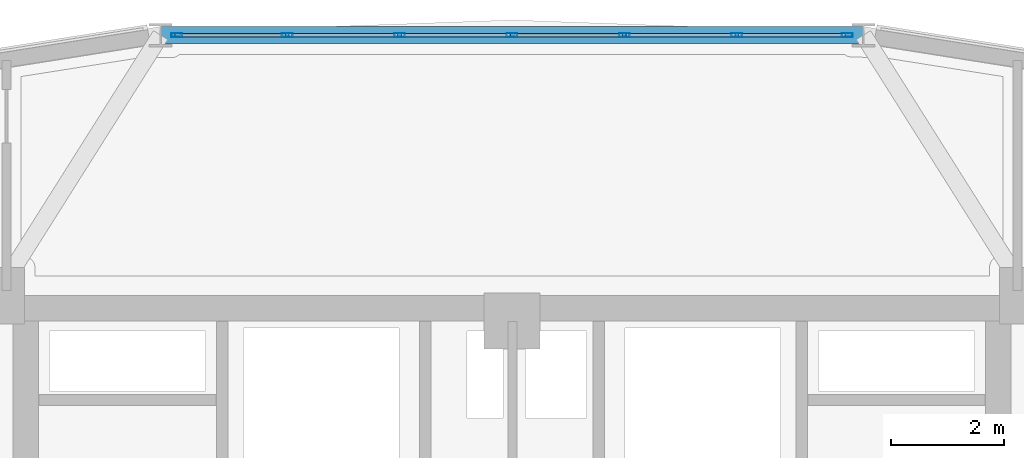
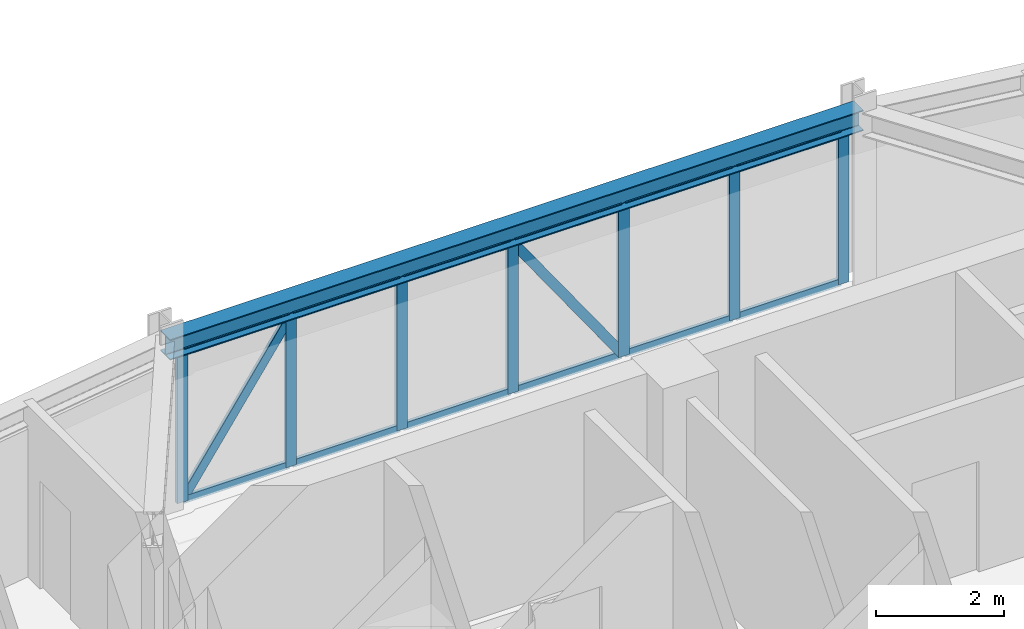
# One storey, part 8 of 14: 21 members, 1 beam, 1 element without a shape of its own.
"""IFC4 building model written with IfcOpenShell, lengths in metres."""

from ifc_helpers import new_model, si_unit, derived_unit, direction, frame, origin, origin_2d, place, context, subcontext, project, spatial, hollow_rectangle, i_section, extrude, source, transform, mapped, material, layer, layer_set, material_profile, profile_set, type_object, element, aggregate, save


model = new_model("IFC4")

# Units and contexts
model_context = context("Model", 3, precision=1e-05, world=origin(), true_north=direction((0.0, 1.0)))
body_context = subcontext(model_context, "Body", "Model", "MODEL_VIEW")
ifc_project = project(units=[si_unit("LENGTHUNIT", "METRE"), si_unit("AREAUNIT", "SQUARE_METRE"), si_unit("VOLUMEUNIT", "CUBIC_METRE"), si_unit("PLANEANGLEUNIT", "RADIAN"), si_unit("MASSUNIT", "GRAM", prefix="KILO"), derived_unit("THERMALTRANSMITTANCEUNIT", [(si_unit("POWERUNIT", "WATT"), 1), (si_unit("LENGTHUNIT", "METRE"), -2), (si_unit("THERMODYNAMICTEMPERATUREUNIT", "KELVIN"), -1)])], contexts=[model_context])

# Site, building, storey
site_placement = place(None, origin())
site = spatial("IfcSite", under=ifc_project, at=site_placement, CompositionType="ELEMENT")
building_placement = place(site_placement, origin())
building = spatial("IfcBuilding", under=site, at=building_placement, Name="Korsvarv Bourse and Concert Hall", CompositionType="ELEMENT")
storey_placement = place(building_placement, frame((0.0, 0.0, 197.39990234375)))
storey = spatial("IfcBuildingStorey", under=building, at=storey_placement, Name="L51", CompositionType="ELEMENT", Elevation=197.39990234375)

# Beam
ifc_material_1 = material(Name="Steel S355", Category="steel")
ifc_material_profile_1 = material_profile(ifc_material_1, i_section(OverallWidth=0.300048828125, OverallDepth=0.389892578125, WebThickness=0.010986328125, FlangeThickness=0.01904296875, FilletRadius=0.02099609375, at=origin_2d()), Name="HEA 400")
ifc_profile_set_1 = profile_set([ifc_material_profile_1], Name="Steel S355")
beam_type = type_object("IfcBeamType", Name="BM-HEA400", PredefinedType="BEAM", material=ifc_profile_set_1)
shared_shape_1 = source(origin(), body_context, "Body", "SweptSolid", [
    extrude(i_section(OverallWidth=0.300048828125, OverallDepth=0.389892578125, WebThickness=0.010986328125, FlangeThickness=0.01904296875, FilletRadius=0.02099609375, at=origin_2d()), origin(), (0.0, 0.0, 1.0), 12.46630859375),
])
beam_placement = place(storey_placement, frame((42.233154296875, 51.871826171875, 3.065185546875), z_axis=(-1.0, 0.0, 0.0), x_axis=(0.0, -1.0, 0.0)))
element("IfcBeam", 1, at=beam_placement, inside=storey, type_object=beam_type, Name="L51 beam B-11", PredefinedType="BEAM", context=body_context, shape_type="MappedRepresentation", body=[
    mapped(shared_shape_1, transform((0.0, 0.0, 0.0), scale=1.0)),
])

# Curtain wall, members
ifc_material_2 = material(Name="Anodised aluminium and triple low-E glazing", Category="glass")
ifc_layer = layer(ifc_material_2, 0.199951171875)
ifc_layer_set = layer_set([ifc_layer], Name="Anodised aluminium and triple low-E glazing")
curtain_wall_type = type_object("IfcCurtainWallType", Name="CW-SYS-3", PredefinedType="NOTDEFINED", material=ifc_layer_set)
curtain_wall_placement = place(storey_placement, origin())
curtain_wall = element("IfcCurtainWall", 2, at=curtain_wall_placement, inside=storey, type_object=curtain_wall_type, Name="L51 CW3 curtain wall CW-L51-F03", PredefinedType="NOTDEFINED")
ifc_material_3 = material(Name="Extruded aluminium EN AW-6063 T66", Category="aluminium")
ifc_material_profile_2 = material_profile(ifc_material_3, hollow_rectangle(XDim=0.06494140625, YDim=0.139892578125, WallThickness=0.00390625, at=origin_2d()), Name="ALU-T 65x140")
ifc_profile_set_2 = profile_set([ifc_material_profile_2], Name="Extruded aluminium EN AW-6063 T66")
member_type_1 = type_object("IfcMemberType", Name="CWT-140", PredefinedType="USERDEFINED", material=ifc_profile_set_2)
shared_shape_2 = source(origin(), body_context, "Body", "SweptSolid", [
    extrude(hollow_rectangle(XDim=0.06494140625, YDim=0.139892578125, WallThickness=0.00390625, at=origin_2d()), origin(), (0.0, 0.0, 1.0), 1.92333984375),
])
member_1_placement = place(storey_placement, frame((39.95166015625, 51.871826171875, 0.03271484375), z_axis=(-1.0, 0.0, 0.0), x_axis=(0.0, -1.0, 0.0)))
member_1 = element("IfcMember", 3, at=member_1_placement, type_object=member_type_1, Name="CW3 transom 2.1", ObjectType="TRANSOM", PredefinedType="USERDEFINED", context=body_context, shape_type="MappedRepresentation", body=[
    mapped(shared_shape_2, transform((0.0, 0.0, 0.0), scale=1.0)),
])
member_2_placement = place(storey_placement, frame((39.95166015625, 51.871826171875, 2.837646484375), z_axis=(-1.0, 0.0, 0.0), x_axis=(0.0, -1.0, 0.0)))
member_2 = element("IfcMember", 4, at=member_2_placement, type_object=member_type_1, Name="CW3 transom 2.2", ObjectType="TRANSOM", PredefinedType="USERDEFINED", context=body_context, shape_type="MappedRepresentation", body=[
    mapped(shared_shape_2, transform((0.0, 0.0, 0.0), scale=1.0)),
])
member_3_placement = place(storey_placement, frame((37.958251953125, 51.871826171875, 0.03271484375), z_axis=(-1.0, 0.0, 0.0), x_axis=(0.0, -1.0, 0.0)))
member_3 = element("IfcMember", 5, at=member_3_placement, type_object=member_type_1, Name="CW3 transom 3.1", ObjectType="TRANSOM", PredefinedType="USERDEFINED", context=body_context, shape_type="MappedRepresentation", body=[
    mapped(shared_shape_2, transform((0.0, 0.0, 0.0), scale=1.0)),
])
member_4_placement = place(storey_placement, frame((37.958251953125, 51.871826171875, 2.837646484375), z_axis=(-1.0, 0.0, 0.0), x_axis=(0.0, -1.0, 0.0)))
member_4 = element("IfcMember", 6, at=member_4_placement, type_object=member_type_1, Name="CW3 transom 3.2", ObjectType="TRANSOM", PredefinedType="USERDEFINED", context=body_context, shape_type="MappedRepresentation", body=[
    mapped(shared_shape_2, transform((0.0, 0.0, 0.0), scale=1.0)),
])
member_5_placement = place(storey_placement, frame((35.965087890625, 51.871826171875, 0.03271484375), z_axis=(-1.0, 0.0, 0.0), x_axis=(0.0, -1.0, 0.0)))
member_5 = element("IfcMember", 7, at=member_5_placement, type_object=member_type_1, Name="CW3 transom 4.1", ObjectType="TRANSOM", PredefinedType="USERDEFINED", context=body_context, shape_type="MappedRepresentation", body=[
    mapped(shared_shape_2, transform((0.0, 0.0, 0.0), scale=1.0)),
])
member_6_placement = place(storey_placement, frame((35.965087890625, 51.871826171875, 2.837646484375), z_axis=(-1.0, 0.0, 0.0), x_axis=(0.0, -1.0, 0.0)))
member_6 = element("IfcMember", 8, at=member_6_placement, type_object=member_type_1, Name="CW3 transom 4.2", ObjectType="TRANSOM", PredefinedType="USERDEFINED", context=body_context, shape_type="MappedRepresentation", body=[
    mapped(shared_shape_2, transform((0.0, 0.0, 0.0), scale=1.0)),
])
member_7_placement = place(storey_placement, frame((33.9716796875, 51.871826171875, 0.03271484375), z_axis=(-1.0, 0.0, 0.0), x_axis=(0.0, -1.0, 0.0)))
member_7 = element("IfcMember", 9, at=member_7_placement, type_object=member_type_1, Name="CW3 transom 5.1", ObjectType="TRANSOM", PredefinedType="USERDEFINED", context=body_context, shape_type="MappedRepresentation", body=[
    mapped(shared_shape_2, transform((0.0, 0.0, 0.0), scale=1.0)),
])
member_8_placement = place(storey_placement, frame((33.9716796875, 51.871826171875, 2.837646484375), z_axis=(-1.0, 0.0, 0.0), x_axis=(0.0, -1.0, 0.0)))
member_8 = element("IfcMember", 10, at=member_8_placement, type_object=member_type_1, Name="CW3 transom 5.2", ObjectType="TRANSOM", PredefinedType="USERDEFINED", context=body_context, shape_type="MappedRepresentation", body=[
    mapped(shared_shape_2, transform((0.0, 0.0, 0.0), scale=1.0)),
])
shared_shape_3 = source(origin(), body_context, "Body", "SweptSolid", [
    extrude(hollow_rectangle(XDim=0.06494140625, YDim=0.139892578125, WallThickness=0.00390625, at=origin_2d()), origin(), (0.0, 0.0, 1.0), 1.888427734375),
])
member_9_placement = place(storey_placement, frame((41.91015625, 51.871826171875, 0.03271484375), z_axis=(-1.0, 0.0, 0.0), x_axis=(0.0, -1.0, 0.0)))
member_9 = element("IfcMember", 11, at=member_9_placement, type_object=member_type_1, Name="CW3 transom 1.1", ObjectType="TRANSOM", PredefinedType="USERDEFINED", context=body_context, shape_type="MappedRepresentation", body=[
    mapped(shared_shape_3, transform((0.0, 0.0, 0.0), scale=1.0)),
])
member_10_placement = place(storey_placement, frame((41.91015625, 51.871826171875, 2.837646484375), z_axis=(-1.0, 0.0, 0.0), x_axis=(0.0, -1.0, 0.0)))
member_10 = element("IfcMember", 12, at=member_10_placement, type_object=member_type_1, Name="CW3 transom 1.2", ObjectType="TRANSOM", PredefinedType="USERDEFINED", context=body_context, shape_type="MappedRepresentation", body=[
    mapped(shared_shape_3, transform((0.0, 0.0, 0.0), scale=1.0)),
])
member_11_placement = place(storey_placement, frame((31.978271484375, 51.871826171875, 0.03271484375), z_axis=(-1.0, 0.0, 0.0), x_axis=(0.0, -1.0, 0.0)))
member_11 = element("IfcMember", 13, at=member_11_placement, type_object=member_type_1, Name="CW3 transom 6.1", ObjectType="TRANSOM", PredefinedType="USERDEFINED", context=body_context, shape_type="MappedRepresentation", body=[
    mapped(shared_shape_3, transform((0.0, 0.0, 0.0), scale=1.0)),
])
member_12_placement = place(storey_placement, frame((31.978271484375, 51.871826171875, 2.837646484375), z_axis=(-1.0, 0.0, 0.0), x_axis=(0.0, -1.0, 0.0)))
member_12 = element("IfcMember", 14, at=member_12_placement, type_object=member_type_1, Name="CW3 transom 6.2", ObjectType="TRANSOM", PredefinedType="USERDEFINED", context=body_context, shape_type="MappedRepresentation", body=[
    mapped(shared_shape_3, transform((0.0, 0.0, 0.0), scale=1.0)),
])
ifc_material_profile_3 = material_profile(ifc_material_3, hollow_rectangle(XDim=0.070068359375, YDim=0.18994140625, WallThickness=0.0048828125, at=origin_2d()), Name="ALU-M 70x190")
ifc_profile_set_3 = profile_set([ifc_material_profile_3], Name="Extruded aluminium EN AW-6063 T66")
member_type_2 = type_object("IfcMemberType", Name="CWM-190", PredefinedType="MULLION", material=ifc_profile_set_3)
shared_shape_4 = source(origin(), body_context, "Body", "SweptSolid", [
    extrude(hollow_rectangle(XDim=0.070068359375, YDim=0.18994140625, WallThickness=0.0048828125, at=origin_2d()), origin(), (0.0, 0.0, 1.0), 2.8701171875),
])
member_13_placement = place(storey_placement, frame((41.945068359375, 51.871826171875, 0.0), z_axis=(0.0, 0.0, 1.0), x_axis=(0.0, -1.0, 0.0)))
member_13 = element("IfcMember", 15, at=member_13_placement, type_object=member_type_2, Name="CW3 mullion 1", PredefinedType="MULLION", context=body_context, shape_type="MappedRepresentation", body=[
    mapped(shared_shape_4, transform((0.0, 0.0, 0.0), scale=1.0)),
])
member_14_placement = place(storey_placement, frame((39.98681640625, 51.871826171875, 0.0), z_axis=(0.0, 0.0, 1.0), x_axis=(0.0, -1.0, 0.0)))
member_14 = element("IfcMember", 16, at=member_14_placement, type_object=member_type_2, Name="CW3 mullion 2", PredefinedType="MULLION", context=body_context, shape_type="MappedRepresentation", body=[
    mapped(shared_shape_4, transform((0.0, 0.0, 0.0), scale=1.0)),
])
member_15_placement = place(storey_placement, frame((37.993408203125, 51.871826171875, 0.0), z_axis=(0.0, 0.0, 1.0), x_axis=(0.0, -1.0, 0.0)))
member_15 = element("IfcMember", 17, at=member_15_placement, type_object=member_type_2, Name="CW3 mullion 3", PredefinedType="MULLION", context=body_context, shape_type="MappedRepresentation", body=[
    mapped(shared_shape_4, transform((0.0, 0.0, 0.0), scale=1.0)),
])
member_16_placement = place(storey_placement, frame((36.0, 51.871826171875, 0.0), z_axis=(0.0, 0.0, 1.0), x_axis=(0.0, -1.0, 0.0)))
member_16 = element("IfcMember", 18, at=member_16_placement, type_object=member_type_2, Name="CW3 mullion 4", PredefinedType="MULLION", context=body_context, shape_type="MappedRepresentation", body=[
    mapped(shared_shape_4, transform((0.0, 0.0, 0.0), scale=1.0)),
])
member_17_placement = place(storey_placement, frame((34.006591796875, 51.871826171875, 0.0), z_axis=(0.0, 0.0, 1.0), x_axis=(0.0, -1.0, 0.0)))
member_17 = element("IfcMember", 19, at=member_17_placement, type_object=member_type_2, Name="CW3 mullion 5", PredefinedType="MULLION", context=body_context, shape_type="MappedRepresentation", body=[
    mapped(shared_shape_4, transform((0.0, 0.0, 0.0), scale=1.0)),
])
member_18_placement = place(storey_placement, frame((32.01318359375, 51.871826171875, 0.0), z_axis=(0.0, 0.0, 1.0), x_axis=(0.0, -1.0, 0.0)))
member_18 = element("IfcMember", 20, at=member_18_placement, type_object=member_type_2, Name="CW3 mullion 6", PredefinedType="MULLION", context=body_context, shape_type="MappedRepresentation", body=[
    mapped(shared_shape_4, transform((0.0, 0.0, 0.0), scale=1.0)),
])
member_19_placement = place(storey_placement, frame((30.054931640625, 51.871826171875, 0.0), z_axis=(0.0, 0.0, 1.0), x_axis=(0.0, -1.0, 0.0)))
member_19 = element("IfcMember", 21, at=member_19_placement, type_object=member_type_2, Name="CW3 mullion 7", PredefinedType="MULLION", context=body_context, shape_type="MappedRepresentation", body=[
    mapped(shared_shape_4, transform((0.0, 0.0, 0.0), scale=1.0)),
])
ifc_material_profile_4 = material_profile(ifc_material_3, hollow_rectangle(XDim=0.06494140625, YDim=0.1650390625, WallThickness=0.0048828125, at=origin_2d()), Name="ALU-M 65x165")
ifc_profile_set_4 = profile_set([ifc_material_profile_4], Name="Extruded aluminium EN AW-6063 T66")
member_type_3 = type_object("IfcMemberType", Name="CWM-165", PredefinedType="MULLION", material=ifc_profile_set_4)
shared_shape_5 = source(origin(), body_context, "Body", "SweptSolid", [
    extrude(hollow_rectangle(XDim=0.06494140625, YDim=0.1650390625, WallThickness=0.0048828125, at=origin_2d()), origin(), (0.0, 0.0, 1.0), 3.34765625),
])
member_20_placement = place(storey_placement, frame((37.958251953125, 51.871826171875, 0.065185546875), z_axis=(-0.574533761265, 0.0, 0.818480883813), x_axis=(0.0, -1.0, 0.0)))
member_20 = element("IfcMember", 22, at=member_20_placement, type_object=member_type_3, Name="CW3 diagonal mullion 3", PredefinedType="MULLION", context=body_context, shape_type="MappedRepresentation", body=[
    mapped(shared_shape_5, transform((0.0, 0.0, 0.0), scale=1.0)),
])
shared_shape_6 = source(origin(), body_context, "Body", "SweptSolid", [
    extrude(hollow_rectangle(XDim=0.06494140625, YDim=0.1650390625, WallThickness=0.0048828125, at=origin_2d()), origin(), (0.0, 0.0, 1.0), 3.32763671875),
])
member_21_placement = place(storey_placement, frame((30.08984375, 51.871826171875, 0.065185546875), z_axis=(0.567484337556, 0.0, 0.823384191389), x_axis=(0.0, 1.0, 0.0)))
member_21 = element("IfcMember", 23, at=member_21_placement, type_object=member_type_3, Name="CW3 diagonal mullion 6", PredefinedType="MULLION", context=body_context, shape_type="MappedRepresentation", body=[
    mapped(shared_shape_6, transform((0.0, 0.0, 0.0), scale=1.0)),
])
aggregate(curtain_wall, [member_13, member_14, member_15, member_16, member_17, member_18, member_19, member_9, member_10, member_1, member_2, member_3, member_4, member_20, member_5, member_6, member_7, member_8, member_11, member_12, member_21])

save(model, "model.ifc")
